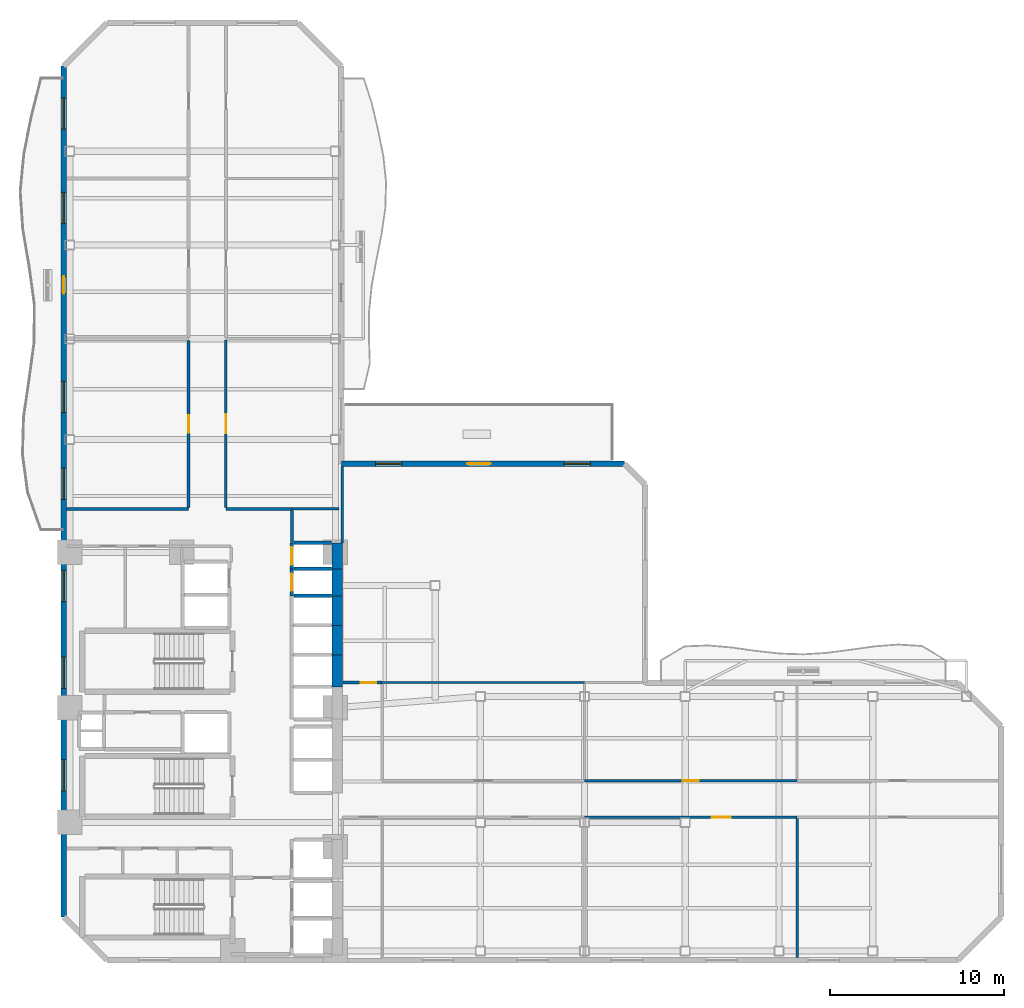
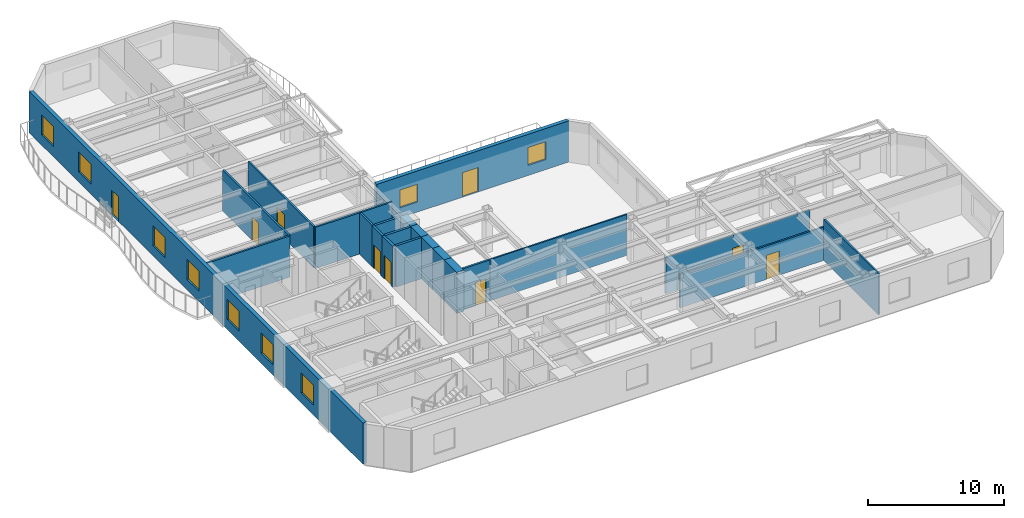
# One storey, part 5 of 10: 24 walls, 9 doors, 9 windows, 18 openings.
"""IFC4 building model written with IfcOpenShell, lengths in metres."""

from ifc_helpers import new_model, si_unit, direction, frame, frame_2d, origin, place, context, subcontext, project, spatial, rectangle, extrude, material, layer, layer_set, type_object, element, fill, save


model = new_model("IFC4")

# Units and contexts
model_context = context("Model", 3, precision=1e-05, world=origin(), true_north=direction((0.0, 1.0)))
body_context = subcontext(model_context, "Body", "Model", "MODEL_VIEW")
ifc_project = project(units=[si_unit("LENGTHUNIT", "METRE"), si_unit("AREAUNIT", "SQUARE_METRE"), si_unit("VOLUMEUNIT", "CUBIC_METRE"), si_unit("PLANEANGLEUNIT", "RADIAN"), si_unit("MASSUNIT", "GRAM", prefix="KILO")], contexts=[model_context])

# Site, building, storey
site_placement = place(None, origin())
site = spatial("IfcSite", under=ifc_project, at=site_placement, CompositionType="ELEMENT")
building_placement = place(site_placement, origin())
building = spatial("IfcBuilding", under=site, at=building_placement, Name="Mawjaban Terraces University", CompositionType="ELEMENT")
storey_placement = place(building_placement, frame((0.0, 0.0, 31.0)))
storey = spatial("IfcBuildingStorey", under=building, at=storey_placement, Name="L06", CompositionType="ELEMENT", Elevation=31.0)

# Walls
ifc_material_1 = material(Name="Concrete C70/85", Category="concrete")
ifc_layer_1 = layer(ifc_material_1, 0.60009765625)
ifc_layer_set_1 = layer_set([ifc_layer_1], Name="Concrete C70/85")
wall_type_1 = type_object("IfcWallType", Name="CoreShearWall_600", PredefinedType="SHEAR", material=ifc_layer_set_1)
wall_1_placement = place(storey_placement, frame((37.75, 15.75, 0.0), z_axis=(0.0, 0.0, 1.0), x_axis=(0.0, 1.0, 0.0)))
element("IfcWall", 1, at=wall_1_placement, inside=storey, type_object=wall_type_1, Name="L06 Lift OL-2 Hoistway Wall East", PredefinedType="SHEAR", context=body_context, shape_type="SweptSolid", body=[
    extrude(rectangle(XDim=1.85009765625, YDim=0.60009765625, at=frame_2d((0.925048828125, 0.0))), origin(), (0.0, 0.0, 1.0), 3.68994140625),
])
for number, where, z_axis, x_axis, name in (
    (2, (37.75, 17.60009765625, 0.0), (0.0, 0.0, 1.0), (0.0, 1.0, 0.0), "L06 Lift PL-M1 Hoistway Wall East"),
    (3, (37.75, 19.300048828125, 0.0), (0.0, 0.0, 1.0), (0.0, 1.0, 0.0), "L06 Lift PL-M2 Hoistway Wall East"),
):
    element("IfcWall", number, at=place(storey_placement, frame(where, z_axis=z_axis, x_axis=x_axis)), inside=storey, type_object=wall_type_1, Name=name, PredefinedType="SHEAR", context=body_context, shape_type="SweptSolid", body=[
        extrude(rectangle(XDim=1.699951171875, YDim=0.60009765625, at=frame_2d((0.85009765625, 0.0))), origin(), (0.0, 0.0, 1.0), 3.68994140625),
    ])
wall_2_placement = place(storey_placement, frame((37.75, 21.0, 0.0), z_axis=(0.0, 0.0, 1.0), x_axis=(0.0, 1.0, 0.0)))
element("IfcWall", 4, at=wall_2_placement, inside=storey, type_object=wall_type_1, Name="L06 Lift PL-L1 Hoistway Wall East", PredefinedType="SHEAR", context=body_context, shape_type="SweptSolid", body=[
    extrude(rectangle(XDim=1.550048828125, YDim=0.60009765625, at=frame_2d((0.77490234375, 0.0))), origin(), (0.0, 0.0, 1.0), 3.68994140625),
])
wall_3_placement = place(storey_placement, frame((37.75, 22.550048828125, 0.0), z_axis=(0.0, 0.0, 1.0), x_axis=(0.0, 1.0, 0.0)))
element("IfcWall", 5, at=wall_3_placement, inside=storey, type_object=wall_type_1, Name="L06 Lift PL-L2 Hoistway Wall East", PredefinedType="SHEAR", context=body_context, shape_type="SweptSolid", body=[
    extrude(rectangle(XDim=1.5, YDim=0.60009765625, at=frame_2d((0.75, 0.0))), origin(), (0.0, 0.0, 1.0), 3.68994140625),
])
ifc_material_2 = material(Name="Fire-rated gypsum board on steel stud", Category="steel")
ifc_layer_2 = layer(ifc_material_2, 0.159912109375)
ifc_layer_set_2 = layer_set([ifc_layer_2], Name="Fire-rated gypsum board on steel stud")
wall_type_2 = type_object("IfcWallType", Name="CorridorPartition_160", PredefinedType="PARTITIONING", material=ifc_layer_set_2)
wall_4_placement = place(storey_placement, frame((29.199951171875, 26.0, 0.0), z_axis=(0.0, 0.0, 1.0), x_axis=(-1.0, 0.0, 0.0)))
element("IfcWall", 6, at=wall_4_placement, inside=storey, type_object=wall_type_2, Name="L06 North Core Cross-Corridor Partition 9", PredefinedType="PARTITIONING", context=body_context, shape_type="SweptSolid", body=[
    extrude(rectangle(XDim=7.044921875, YDim=0.159912109375, at=frame_2d((3.5224609375, 0.0))), origin(), (0.0, 0.0, 1.0), 3.68994140625),
])
wall_5_placement = place(storey_placement, frame((35.14990234375, 26.0, 0.0), z_axis=(0.0, 0.0, 1.0), x_axis=(-1.0, 0.0, 0.0)))
element("IfcWall", 7, at=wall_5_placement, inside=storey, type_object=wall_type_2, Name="L06 North Core Cross-Corridor Partition 14", PredefinedType="PARTITIONING", context=body_context, shape_type="SweptSolid", body=[
    extrude(rectangle(XDim=3.7998046875, YDim=0.159912109375, at=frame_2d((1.89990234375, 0.0))), origin(), (0.0, 0.0, 1.0), 3.68994140625),
])

# Wall, opening, door
wall_6_placement = place(storey_placement, frame((40.35009765625, 16.0, 0.0), z_axis=(0.0, 0.0, 1.0), x_axis=(-1.0, 0.0, 0.0)))
wall_6 = element("IfcWall", 8, at=wall_6_placement, inside=storey, type_object=wall_type_2, Name="L06 East Academic Corridor Vestibule Partition 20", PredefinedType="PARTITIONING", context=body_context, shape_type="SweptSolid", body=[
    extrude(rectangle(XDim=2.27001953125, YDim=0.159912109375, at=frame_2d((1.135009765625, 0.0))), origin(), (0.0, 0.0, 1.0), 3.68994140625),
])
opening_1_placement = place(wall_6_placement, frame((0.3349609375, 0.0, 0.0)))
opening_1 = element("IfcOpeningElement", 9, at=opening_1_placement, cuts=wall_6, Name="Opening ID-090", PredefinedType="OPENING", context=body_context, shape_type="SweptSolid", body=[
    extrude(rectangle(XDim=0.89990234375, YDim=2.10009765625, at=frame_2d((0.449951171875, 1.050048828125))), frame((0.0, 0.08984375, 0.0), z_axis=(0.0, -1.0, 0.0), x_axis=(1.0, 0.0, 0.0)), (0.0, 0.0, 1.0), 0.179931640625),
])
ifc_material_3 = material(Name="Powder-coated steel frame and solid acoustic timber leaf", Category="steel")
door_type_1 = type_object("IfcDoorType", Name="OfficeDoor_900x2100", OperationType="NOTDEFINED", PredefinedType="DOOR", material=ifc_material_3)
door_1_placement = place(opening_1_placement, origin())
door_1 = element("IfcDoor", 10, at=door_1_placement, inside=storey, type_object=door_type_1, Name="L06 Terrace Collaborative Study Room Door", OperationType="SINGLE_SWING_LEFT", OverallHeight=2.10009765625, OverallWidth=0.89990234375, PredefinedType="DOOR", context=body_context, shape_type="SweptSolid", body=[
    extrude(rectangle(XDim=0.89990234375, YDim=2.10009765625, at=frame_2d((0.449951171875, 1.050048828125))), frame((0.0, 0.02490234375, 0.0), z_axis=(0.0, -1.0, 0.0), x_axis=(1.0, 0.0, 0.0)), (0.0, 0.0, 1.0), 0.050048828125),
])
fill(opening_1, door_1)

wall_7_placement = place(storey_placement, frame((64.239990234375, 10.35009765625, 0.0), z_axis=(0.0, 0.0, 1.0), x_axis=(-1.0, 0.0, 0.0)))
wall_7 = element("IfcWall", 11, at=wall_7_placement, inside=storey, type_object=wall_type_2, Name="L06 East Academic Spine Corridor Partition 26", PredefinedType="PARTITIONING", context=body_context, shape_type="SweptSolid", body=[
    extrude(rectangle(XDim=12.239990234375, YDim=0.159912109375, at=frame_2d((6.1201171875, 0.0))), origin(), (0.0, 0.0, 1.0), 3.22705078125),
])
opening_2_placement = place(wall_7_placement, frame((5.669921875, 0.0, 0.0)))
opening_2 = element("IfcOpeningElement", 12, at=opening_2_placement, cuts=wall_7, Name="Opening ID-090", PredefinedType="OPENING", context=body_context, shape_type="SweptSolid", body=[
    extrude(rectangle(XDim=0.89990234375, YDim=2.10009765625, at=frame_2d((0.449951171875, 1.050048828125))), frame((0.0, 0.08984375, 0.0), z_axis=(0.0, -1.0, 0.0), x_axis=(1.0, 0.0, 0.0)), (0.0, 0.0, 1.0), 0.179931640625),
])
door_2_placement = place(opening_2_placement, origin())
door_2 = element("IfcDoor", 13, at=door_2_placement, inside=storey, type_object=door_type_1, Name="L06 Seminar Room 5 Door", OperationType="SINGLE_SWING_RIGHT", OverallHeight=2.10009765625, OverallWidth=0.89990234375, PredefinedType="DOOR", context=body_context, shape_type="SweptSolid", body=[
    extrude(rectangle(XDim=0.89990234375, YDim=2.10009765625, at=frame_2d((0.449951171875, 1.050048828125))), frame((0.0, 0.02490234375, 0.0), z_axis=(0.0, -1.0, 0.0), x_axis=(1.0, 0.0, 0.0)), (0.0, 0.0, 1.0), 0.050048828125),
])
fill(opening_2, door_2)

wall_8_placement = place(storey_placement, frame((29.199951171875, 35.715087890625, 0.0), z_axis=(0.0, 0.0, 1.0), x_axis=(0.0, -1.0, 0.0)))
wall_8 = element("IfcWall", 14, at=wall_8_placement, inside=storey, type_object=wall_type_2, Name="L06 North Academic Spine Corridor Partition 33", PredefinedType="PARTITIONING", context=body_context, shape_type="SweptSolid", body=[
    extrude(rectangle(XDim=9.64013671875, YDim=0.159912109375, at=frame_2d((4.820068359375, 0.0))), origin(), (0.0, 0.0, 1.0), 3.68994140625),
])
opening_3_placement = place(wall_8_placement, frame((4.320068359375, 0.0, 0.0)))
opening_3 = element("IfcOpeningElement", 15, at=opening_3_placement, cuts=wall_8, Name="Opening ID-100", PredefinedType="OPENING", context=body_context, shape_type="SweptSolid", body=[
    extrude(rectangle(XDim=1.0, YDim=2.10009765625, at=frame_2d((0.5, 1.050048828125))), frame((0.0, 0.08984375, 0.0), z_axis=(0.0, -1.0, 0.0), x_axis=(1.0, 0.0, 0.0)), (0.0, 0.0, 1.0), 0.179931640625),
])
door_type_2 = type_object("IfcDoorType", Name="ClassroomDoor_1000x2100", OperationType="NOTDEFINED", PredefinedType="DOOR", material=ifc_material_3)
door_3_placement = place(opening_3_placement, origin())
door_3 = element("IfcDoor", 16, at=door_3_placement, inside=storey, type_object=door_type_2, Name="L06 Classroom 8 Door", OperationType="SINGLE_SWING_LEFT", OverallHeight=2.10009765625, OverallWidth=1.0, PredefinedType="DOOR", context=body_context, shape_type="SweptSolid", body=[
    extrude(rectangle(XDim=1.0, YDim=2.10009765625, at=frame_2d((0.5, 1.050048828125))), frame((0.0, 0.02490234375, 0.0), z_axis=(0.0, -1.0, 0.0), x_axis=(1.0, 0.0, 0.0)), (0.0, 0.0, 1.0), 0.050048828125),
])
fill(opening_3, door_3)

# Wall
wall_9_placement = place(storey_placement, frame((35.14990234375, 24.070068359375, 0.0), z_axis=(0.0, 0.0, 1.0), x_axis=(0.0, 1.0, 0.0)))
element("IfcWall", 17, at=wall_9_placement, inside=storey, type_object=wall_type_2, Name="L06 North Core Cross-Corridor Partition 41", PredefinedType="PARTITIONING", context=body_context, shape_type="SweptSolid", body=[
    extrude(rectangle(XDim=1.85498046875, YDim=0.159912109375, at=frame_2d((0.927490234375, 0.0))), origin(), (0.0, 0.0, 1.0), 3.68994140625),
])

# Wall, openings, door, windows
ifc_material_4 = material(Name="Insulated terracotta rainscreen on concrete backup C40/50", Category="masonry")
ifc_layer_3 = layer(ifc_material_4, 0.320068359375)
ifc_layer_set_3 = layer_set([ifc_layer_3], Name="Insulated terracotta rainscreen on concrete backup C40/50")
wall_type_3 = type_object("IfcWallType", Name="ExtTerracottaWall_320", PredefinedType="SOLIDWALL", material=ifc_layer_set_3)
wall_10_placement = place(storey_placement, frame((54.300048828125, 28.60009765625, 0.0), z_axis=(0.0, 0.0, 1.0), x_axis=(-1.0, 0.0, 0.0)))
wall_10 = element("IfcWall", 18, at=wall_10_placement, inside=storey, type_object=wall_type_3, Name="L06 Exterior Terracotta Wall 8", PredefinedType="SOLIDWALL", context=body_context, shape_type="SweptSolid", body=[
    extrude(rectangle(XDim=16.300048828125, YDim=0.320068359375, at=frame_2d((8.14990234375, 0.0))), origin(), (0.0, 0.0, 1.0), 3.68994140625),
])
opening_4_placement = place(wall_10_placement, frame((7.699951171875, 0.0, 0.0)))
opening_4 = element("IfcOpeningElement", 19, at=opening_4_placement, cuts=wall_10, Name="Opening TD-135", PredefinedType="OPENING", context=body_context, shape_type="SweptSolid", body=[
    extrude(rectangle(XDim=1.35009765625, YDim=2.199951171875, at=frame_2d((0.675048828125, 1.10009765625))), frame((0.0, 0.169921875, 0.0), z_axis=(0.0, -1.0, 0.0), x_axis=(1.0, 0.0, 0.0)), (0.0, 0.0, 1.0), 0.340087890625),
])
opening_5_placement = place(wall_10_placement, frame((1.967041015625, 0.0, 0.89990234375)))
opening_5 = element("IfcOpeningElement", 20, at=opening_5_placement, cuts=wall_10, Name="Opening W-02", PredefinedType="OPENING", context=body_context, shape_type="SweptSolid", body=[
    extrude(rectangle(XDim=1.5, YDim=1.60009765625, at=frame_2d((0.75, 0.800048828125))), frame((0.0, 0.169921875, 0.0), z_axis=(0.0, -1.0, 0.0), x_axis=(1.0, 0.0, 0.0)), (0.0, 0.0, 1.0), 0.340087890625),
])
opening_6_placement = place(wall_10_placement, frame((12.8330078125, 0.0, 0.89990234375)))
opening_6 = element("IfcOpeningElement", 21, at=opening_6_placement, cuts=wall_10, Name="Opening W-02", PredefinedType="OPENING", context=body_context, shape_type="SweptSolid", body=[
    extrude(rectangle(XDim=1.5, YDim=1.60009765625, at=frame_2d((0.75, 0.800048828125))), frame((0.0, 0.169921875, 0.0), z_axis=(0.0, -1.0, 0.0), x_axis=(1.0, 0.0, 0.0)), (0.0, 0.0, 1.0), 0.340087890625),
])
ifc_material_5 = material(Name="Thermally broken anodised aluminium and laminated safety glass", Category="aluminium")
door_type_3 = type_object("IfcDoorType", Name="TerraceGlazedDoor_1350x2200", OperationType="NOTDEFINED", PredefinedType="DOOR", material=ifc_material_5)
door_4_placement = place(opening_4_placement, origin())
door_4 = element("IfcDoor", 22, at=door_4_placement, inside=storey, type_object=door_type_3, Name="L06 Terrace Access Door TER-L06-CLIMB", OperationType="SINGLE_SWING_RIGHT", OverallHeight=2.199951171875, OverallWidth=1.35009765625, PredefinedType="DOOR", context=body_context, shape_type="SweptSolid", body=[
    extrude(rectangle(XDim=1.35009765625, YDim=2.199951171875, at=frame_2d((0.675048828125, 1.10009765625))), frame((0.0, 0.02490234375, 0.0), z_axis=(0.0, -1.0, 0.0), x_axis=(1.0, 0.0, 0.0)), (0.0, 0.0, 1.0), 0.050048828125),
])
fill(opening_4, door_4)
ifc_material_6 = material(Name="Low-E solar-control double glazing in thermally broken aluminium frame", Category="aluminium")
window_type_1 = type_object("IfcWindowType", Name="Win_1500x1600", PartitioningType="SINGLE_PANEL", PredefinedType="WINDOW", material=ifc_material_6)
window_1_placement = place(opening_5_placement, origin())
window_1 = element("IfcWindow", 23, at=window_1_placement, inside=storey, type_object=window_type_1, Name="L06 Facade Window 8.1", OverallHeight=1.60009765625, OverallWidth=1.5, PartitioningType="SINGLE_PANEL", PredefinedType="WINDOW", context=body_context, shape_type="SweptSolid", body=[
    extrude(rectangle(XDim=1.5, YDim=1.60009765625, at=frame_2d((0.75, 0.800048828125))), frame((0.0, 0.030029296875, 0.0), z_axis=(0.0, -1.0, 0.0), x_axis=(1.0, 0.0, 0.0)), (0.0, 0.0, 1.0), 0.06005859375),
])
fill(opening_5, window_1)
window_2_placement = place(opening_6_placement, origin())
window_2 = element("IfcWindow", 24, at=window_2_placement, inside=storey, type_object=window_type_1, Name="L06 Facade Window 8.3", OverallHeight=1.60009765625, OverallWidth=1.5, PartitioningType="SINGLE_PANEL", PredefinedType="WINDOW", context=body_context, shape_type="SweptSolid", body=[
    extrude(rectangle(XDim=1.5, YDim=1.60009765625, at=frame_2d((0.75, 0.800048828125))), frame((0.0, 0.030029296875, 0.0), z_axis=(0.0, -1.0, 0.0), x_axis=(1.0, 0.0, 0.0)), (0.0, 0.0, 1.0), 0.06005859375),
])
fill(opening_6, window_2)

wall_11_placement = place(storey_placement, frame((22.0, 51.5, 0.0), z_axis=(0.0, 0.0, 1.0), x_axis=(0.0, -1.0, 0.0)))
wall_11 = element("IfcWall", 25, at=wall_11_placement, inside=storey, type_object=wall_type_3, Name="L06 Exterior Terracotta Wall 13", PredefinedType="SOLIDWALL", context=body_context, shape_type="SweptSolid", body=[
    extrude(rectangle(XDim=49.0, YDim=0.320068359375, at=frame_2d((24.5, 0.0))), origin(), (0.0, 0.0, 1.0), 3.68994140625),
])
opening_7_placement = place(wall_11_placement, frame((12.10009765625, 0.0, 0.0)))
opening_7 = element("IfcOpeningElement", 26, at=opening_7_placement, cuts=wall_11, Name="Opening BD-100", PredefinedType="OPENING", context=body_context, shape_type="SweptSolid", body=[
    extrude(rectangle(XDim=1.0, YDim=2.199951171875, at=frame_2d((0.5, 1.10009765625))), frame((0.0, 0.169921875, 0.0), z_axis=(0.0, -1.0, 0.0), x_axis=(1.0, 0.0, 0.0)), (0.0, 0.0, 1.0), 0.340087890625),
])
opening_8_placement = place(wall_11_placement, frame((1.822021484375, 0.0, 0.89990234375)))
opening_8 = element("IfcOpeningElement", 27, at=opening_8_placement, cuts=wall_11, Name="Opening W-07", PredefinedType="OPENING", context=body_context, shape_type="SweptSolid", body=[
    extrude(rectangle(XDim=1.800048828125, YDim=1.800048828125, at=frame_2d((0.89990234375, 0.89990234375))), frame((0.0, 0.169921875, 0.0), z_axis=(0.0, -1.0, 0.0), x_axis=(1.0, 0.0, 0.0)), (0.0, 0.0, 1.0), 0.340087890625),
])
opening_9_placement = place(wall_11_placement, frame((7.26708984375, 0.0, 0.89990234375)))
opening_9 = element("IfcOpeningElement", 28, at=opening_9_placement, cuts=wall_11, Name="Opening W-07", PredefinedType="OPENING", context=body_context, shape_type="SweptSolid", body=[
    extrude(rectangle(XDim=1.800048828125, YDim=1.800048828125, at=frame_2d((0.89990234375, 0.89990234375))), frame((0.0, 0.169921875, 0.0), z_axis=(0.0, -1.0, 0.0), x_axis=(1.0, 0.0, 0.0)), (0.0, 0.0, 1.0), 0.340087890625),
])
opening_10_placement = place(wall_11_placement, frame((18.156005859375, 0.0, 0.89990234375)))
opening_10 = element("IfcOpeningElement", 29, at=opening_10_placement, cuts=wall_11, Name="Opening W-07", PredefinedType="OPENING", context=body_context, shape_type="SweptSolid", body=[
    extrude(rectangle(XDim=1.800048828125, YDim=1.800048828125, at=frame_2d((0.89990234375, 0.89990234375))), frame((0.0, 0.169921875, 0.0), z_axis=(0.0, -1.0, 0.0), x_axis=(1.0, 0.0, 0.0)), (0.0, 0.0, 1.0), 0.340087890625),
])
opening_11_placement = place(wall_11_placement, frame((23.14990234375, 0.0, 0.89990234375)))
opening_11 = element("IfcOpeningElement", 30, at=opening_11_placement, cuts=wall_11, Name="Opening W-07", PredefinedType="OPENING", context=body_context, shape_type="SweptSolid", body=[
    extrude(rectangle(XDim=1.800048828125, YDim=1.800048828125, at=frame_2d((0.89990234375, 0.89990234375))), frame((0.0, 0.169921875, 0.0), z_axis=(0.0, -1.0, 0.0), x_axis=(1.0, 0.0, 0.0)), (0.0, 0.0, 1.0), 0.340087890625),
])
opening_12_placement = place(wall_11_placement, frame((29.0439453125, 0.0, 0.89990234375)))
opening_12 = element("IfcOpeningElement", 31, at=opening_12_placement, cuts=wall_11, Name="Opening W-07", PredefinedType="OPENING", context=body_context, shape_type="SweptSolid", body=[
    extrude(rectangle(XDim=1.800048828125, YDim=1.800048828125, at=frame_2d((0.89990234375, 0.89990234375))), frame((0.0, 0.169921875, 0.0), z_axis=(0.0, -1.0, 0.0), x_axis=(1.0, 0.0, 0.0)), (0.0, 0.0, 1.0), 0.340087890625),
])
opening_13_placement = place(wall_11_placement, frame((34.0390625, 0.0, 0.89990234375)))
opening_13 = element("IfcOpeningElement", 32, at=opening_13_placement, cuts=wall_11, Name="Opening W-07", PredefinedType="OPENING", context=body_context, shape_type="SweptSolid", body=[
    extrude(rectangle(XDim=1.800048828125, YDim=1.800048828125, at=frame_2d((0.89990234375, 0.89990234375))), frame((0.0, 0.169921875, 0.0), z_axis=(0.0, -1.0, 0.0), x_axis=(1.0, 0.0, 0.0)), (0.0, 0.0, 1.0), 0.340087890625),
])
opening_14_placement = place(wall_11_placement, frame((39.93310546875, 0.0, 0.89990234375)))
opening_14 = element("IfcOpeningElement", 33, at=opening_14_placement, cuts=wall_11, Name="Opening W-07", PredefinedType="OPENING", context=body_context, shape_type="SweptSolid", body=[
    extrude(rectangle(XDim=1.800048828125, YDim=1.800048828125, at=frame_2d((0.89990234375, 0.89990234375))), frame((0.0, 0.169921875, 0.0), z_axis=(0.0, -1.0, 0.0), x_axis=(1.0, 0.0, 0.0)), (0.0, 0.0, 1.0), 0.340087890625),
])
door_type_4 = type_object("IfcDoorType", Name="BalconyGlazedDoor_1000x2200", OperationType="NOTDEFINED", PredefinedType="DOOR", material=ifc_material_5)
door_5_placement = place(opening_7_placement, origin())
door_5 = element("IfcDoor", 34, at=door_5_placement, inside=storey, type_object=door_type_4, Name="L06 Balcony Access Door west", OperationType="SINGLE_SWING_LEFT", OverallHeight=2.199951171875, OverallWidth=1.0, PredefinedType="DOOR", context=body_context, shape_type="SweptSolid", body=[
    extrude(rectangle(XDim=1.0, YDim=2.199951171875, at=frame_2d((0.5, 1.10009765625))), frame((0.0, 0.02490234375, 0.0), z_axis=(0.0, -1.0, 0.0), x_axis=(1.0, 0.0, 0.0)), (0.0, 0.0, 1.0), 0.050048828125),
])
fill(opening_7, door_5)
window_type_2 = type_object("IfcWindowType", Name="Win_1800x1800", PartitioningType="SINGLE_PANEL", PredefinedType="WINDOW", material=ifc_material_6)
window_3_placement = place(opening_8_placement, origin())
window_3 = element("IfcWindow", 35, at=window_3_placement, inside=storey, type_object=window_type_2, Name="L06 Facade Window 13.1", OverallHeight=1.800048828125, OverallWidth=1.800048828125, PartitioningType="SINGLE_PANEL", PredefinedType="WINDOW", context=body_context, shape_type="SweptSolid", body=[
    extrude(rectangle(XDim=1.800048828125, YDim=1.800048828125, at=frame_2d((0.89990234375, 0.89990234375))), frame((0.0, 0.030029296875, 0.0), z_axis=(0.0, -1.0, 0.0), x_axis=(1.0, 0.0, 0.0)), (0.0, 0.0, 1.0), 0.06005859375),
])
fill(opening_8, window_3)
window_4_placement = place(opening_9_placement, origin())
window_4 = element("IfcWindow", 36, at=window_4_placement, inside=storey, type_object=window_type_2, Name="L06 Facade Window 13.2", OverallHeight=1.800048828125, OverallWidth=1.800048828125, PartitioningType="SINGLE_PANEL", PredefinedType="WINDOW", context=body_context, shape_type="SweptSolid", body=[
    extrude(rectangle(XDim=1.800048828125, YDim=1.800048828125, at=frame_2d((0.89990234375, 0.89990234375))), frame((0.0, 0.030029296875, 0.0), z_axis=(0.0, -1.0, 0.0), x_axis=(1.0, 0.0, 0.0)), (0.0, 0.0, 1.0), 0.06005859375),
])
fill(opening_9, window_4)
window_5_placement = place(opening_10_placement, origin())
window_5 = element("IfcWindow", 37, at=window_5_placement, inside=storey, type_object=window_type_2, Name="L06 Facade Window 13.4", OverallHeight=1.800048828125, OverallWidth=1.800048828125, PartitioningType="SINGLE_PANEL", PredefinedType="WINDOW", context=body_context, shape_type="SweptSolid", body=[
    extrude(rectangle(XDim=1.800048828125, YDim=1.800048828125, at=frame_2d((0.89990234375, 0.89990234375))), frame((0.0, 0.030029296875, 0.0), z_axis=(0.0, -1.0, 0.0), x_axis=(1.0, 0.0, 0.0)), (0.0, 0.0, 1.0), 0.06005859375),
])
fill(opening_10, window_5)
window_6_placement = place(opening_11_placement, origin())
window_6 = element("IfcWindow", 38, at=window_6_placement, inside=storey, type_object=window_type_2, Name="L06 Facade Window 13.5", OverallHeight=1.800048828125, OverallWidth=1.800048828125, PartitioningType="SINGLE_PANEL", PredefinedType="WINDOW", context=body_context, shape_type="SweptSolid", body=[
    extrude(rectangle(XDim=1.800048828125, YDim=1.800048828125, at=frame_2d((0.89990234375, 0.89990234375))), frame((0.0, 0.030029296875, 0.0), z_axis=(0.0, -1.0, 0.0), x_axis=(1.0, 0.0, 0.0)), (0.0, 0.0, 1.0), 0.06005859375),
])
fill(opening_11, window_6)
window_7_placement = place(opening_12_placement, origin())
window_7 = element("IfcWindow", 39, at=window_7_placement, inside=storey, type_object=window_type_2, Name="L06 Facade Window 13.6", OverallHeight=1.800048828125, OverallWidth=1.800048828125, PartitioningType="SINGLE_PANEL", PredefinedType="WINDOW", context=body_context, shape_type="SweptSolid", body=[
    extrude(rectangle(XDim=1.800048828125, YDim=1.800048828125, at=frame_2d((0.89990234375, 0.89990234375))), frame((0.0, 0.030029296875, 0.0), z_axis=(0.0, -1.0, 0.0), x_axis=(1.0, 0.0, 0.0)), (0.0, 0.0, 1.0), 0.06005859375),
])
fill(opening_12, window_7)
window_8_placement = place(opening_13_placement, origin())
window_8 = element("IfcWindow", 40, at=window_8_placement, inside=storey, type_object=window_type_2, Name="L06 Facade Window 13.7", OverallHeight=1.800048828125, OverallWidth=1.800048828125, PartitioningType="SINGLE_PANEL", PredefinedType="WINDOW", context=body_context, shape_type="SweptSolid", body=[
    extrude(rectangle(XDim=1.800048828125, YDim=1.800048828125, at=frame_2d((0.89990234375, 0.89990234375))), frame((0.0, 0.030029296875, 0.0), z_axis=(0.0, -1.0, 0.0), x_axis=(1.0, 0.0, 0.0)), (0.0, 0.0, 1.0), 0.06005859375),
])
fill(opening_13, window_8)
window_9_placement = place(opening_14_placement, origin())
window_9 = element("IfcWindow", 41, at=window_9_placement, inside=storey, type_object=window_type_2, Name="L06 Facade Window 13.8", OverallHeight=1.800048828125, OverallWidth=1.800048828125, PartitioningType="SINGLE_PANEL", PredefinedType="WINDOW", context=body_context, shape_type="SweptSolid", body=[
    extrude(rectangle(XDim=1.800048828125, YDim=1.800048828125, at=frame_2d((0.89990234375, 0.89990234375))), frame((0.0, 0.030029296875, 0.0), z_axis=(0.0, -1.0, 0.0), x_axis=(1.0, 0.0, 0.0)), (0.0, 0.0, 1.0), 0.06005859375),
])
fill(opening_14, window_9)

# Wall
ifc_material_7 = material(Name="Concrete C40/50", Category="concrete")
ifc_layer_4 = layer(ifc_material_7, 0.199951171875)
ifc_layer_set_4 = layer_set([ifc_layer_4], Name="Concrete C40/50")
wall_type_4 = type_object("IfcWallType", Name="FireLobbyWall_200", PredefinedType="SOLIDWALL", material=ifc_layer_set_4)
wall_12_placement = place(storey_placement, frame((37.419921875, 21.0, 0.0), z_axis=(0.0, 0.0, 1.0), x_axis=(-1.0, 0.0, 0.0)))
element("IfcWall", 42, at=wall_12_placement, inside=storey, type_object=wall_type_4, Name="L06 Lift PL-M2 Hoistway Wall North", PredefinedType="SOLIDWALL", context=body_context, shape_type="SweptSolid", body=[
    extrude(rectangle(XDim=2.139892578125, YDim=0.199951171875, at=frame_2d((1.06982421875, 0.0))), origin(), (0.0, 0.0, 1.0), 3.68994140625),
])

# Wall, opening, door
wall_13_placement = place(storey_placement, frame((35.14990234375, 22.550048828125, 0.0), z_axis=(0.0, 0.0, 1.0), x_axis=(0.0, -1.0, 0.0)))
wall_13 = element("IfcWall", 43, at=wall_13_placement, inside=storey, type_object=wall_type_4, Name="L06 Lift PL-L1 Hoistway Wall West", PredefinedType="SOLIDWALL", context=body_context, shape_type="SweptSolid", body=[
    extrude(rectangle(XDim=1.550048828125, YDim=0.199951171875, at=frame_2d((0.77490234375, 0.0))), origin(), (0.0, 0.0, 1.0), 3.68994140625),
])
opening_15_placement = place(wall_13_placement, frame((0.27490234375, 0.0, 0.0)))
opening_15 = element("IfcOpeningElement", 44, at=opening_15_placement, cuts=wall_13, Name="Opening LD-PL-L1", PredefinedType="OPENING", context=body_context, shape_type="SweptSolid", body=[
    extrude(rectangle(XDim=1.0, YDim=2.10009765625, at=frame_2d((0.5, 1.050048828125))), frame((0.0, 0.10986328125, 0.0), z_axis=(0.0, -1.0, 0.0), x_axis=(1.0, 0.0, 0.0)), (0.0, 0.0, 1.0), 0.219970703125),
])
ifc_material_8 = material(Name="Powder-coated steel frame and fire-rated steel-faced leaf", Category="steel")
door_type_5 = type_object("IfcDoorType", Name="LiftLandingSliding_1000x2100", OperationType="NOTDEFINED", PredefinedType="DOOR", material=ifc_material_8)
door_6_placement = place(opening_15_placement, origin())
door_6 = element("IfcDoor", 45, at=door_6_placement, inside=storey, type_object=door_type_5, Name="L06 Lift PL-L1 Sliding Landing Door", OperationType="DOUBLE_DOOR_SLIDING", OverallHeight=2.10009765625, OverallWidth=1.0, PredefinedType="DOOR", context=body_context, shape_type="SweptSolid", body=[
    extrude(rectangle(XDim=1.0, YDim=2.10009765625, at=frame_2d((0.5, 1.050048828125))), frame((0.0, 0.02490234375, 0.0), z_axis=(0.0, -1.0, 0.0), x_axis=(1.0, 0.0, 0.0)), (0.0, 0.0, 1.0), 0.050048828125),
])
fill(opening_15, door_6)

# Wall
wall_14_placement = place(storey_placement, frame((37.419921875, 22.550048828125, 0.0), z_axis=(0.0, 0.0, 1.0), x_axis=(-1.0, 0.0, 0.0)))
element("IfcWall", 46, at=wall_14_placement, inside=storey, type_object=wall_type_4, Name="L06 Lift PL-L1 Hoistway Wall North", PredefinedType="SOLIDWALL", context=body_context, shape_type="SweptSolid", body=[
    extrude(rectangle(XDim=2.139892578125, YDim=0.199951171875, at=frame_2d((1.06982421875, 0.0))), origin(), (0.0, 0.0, 1.0), 3.68994140625),
])

# Wall, opening, door
wall_15_placement = place(storey_placement, frame((35.14990234375, 24.050048828125, 0.0), z_axis=(0.0, 0.0, 1.0), x_axis=(0.0, -1.0, 0.0)))
wall_15 = element("IfcWall", 47, at=wall_15_placement, inside=storey, type_object=wall_type_4, Name="L06 Lift PL-L2 Hoistway Wall West", PredefinedType="SOLIDWALL", context=body_context, shape_type="SweptSolid", body=[
    extrude(rectangle(XDim=1.5, YDim=0.199951171875, at=frame_2d((0.75, 0.0))), origin(), (0.0, 0.0, 1.0), 3.68994140625),
])
opening_16_placement = place(wall_15_placement, frame((0.25, 0.0, 0.0)))
opening_16 = element("IfcOpeningElement", 48, at=opening_16_placement, cuts=wall_15, Name="Opening LD-PL-L2", PredefinedType="OPENING", context=body_context, shape_type="SweptSolid", body=[
    extrude(rectangle(XDim=1.0, YDim=2.10009765625, at=frame_2d((0.5, 1.050048828125))), frame((0.0, 0.10986328125, 0.0), z_axis=(0.0, -1.0, 0.0), x_axis=(1.0, 0.0, 0.0)), (0.0, 0.0, 1.0), 0.219970703125),
])
door_7_placement = place(opening_16_placement, origin())
door_7 = element("IfcDoor", 49, at=door_7_placement, inside=storey, type_object=door_type_5, Name="L06 Lift PL-L2 Sliding Landing Door", OperationType="DOUBLE_DOOR_SLIDING", OverallHeight=2.10009765625, OverallWidth=1.0, PredefinedType="DOOR", context=body_context, shape_type="SweptSolid", body=[
    extrude(rectangle(XDim=1.0, YDim=2.10009765625, at=frame_2d((0.5, 1.050048828125))), frame((0.0, 0.02490234375, 0.0), z_axis=(0.0, -1.0, 0.0), x_axis=(1.0, 0.0, 0.0)), (0.0, 0.0, 1.0), 0.050048828125),
])
fill(opening_16, door_7)

# Walls
wall_16_placement = place(storey_placement, frame((37.419921875, 24.050048828125, 0.0), z_axis=(0.0, 0.0, 1.0), x_axis=(-1.0, 0.0, 0.0)))
element("IfcWall", 50, at=wall_16_placement, inside=storey, type_object=wall_type_4, Name="L06 Lift PL-L2 Hoistway Wall North", PredefinedType="SOLIDWALL", context=body_context, shape_type="SweptSolid", body=[
    extrude(rectangle(XDim=2.139892578125, YDim=0.199951171875, at=frame_2d((1.06982421875, 0.0))), origin(), (0.0, 0.0, 1.0), 3.68994140625),
])
ifc_material_9 = material(Name="Moisture-resistant gypsum board on steel stud", Category="steel")
ifc_layer_5 = layer(ifc_material_9, 0.14501953125)
ifc_layer_set_5 = layer_set([ifc_layer_5], Name="Moisture-resistant gypsum board on steel stud")
wall_type_5 = type_object("IfcWallType", Name="LabPartition_145", PredefinedType="PARTITIONING", material=ifc_layer_set_5)
wall_17_placement = place(storey_placement, frame((35.14990234375, 26.0, 0.0), z_axis=(0.0, 0.0, 1.0), x_axis=(1.0, 0.0, 0.0)))
element("IfcWall", 51, at=wall_17_placement, inside=storey, type_object=wall_type_5, Name="L06 Computational Laboratory 9 Partition 15", PredefinedType="PARTITIONING", context=body_context, shape_type="SweptSolid", body=[
    extrude(rectangle(XDim=2.7001953125, YDim=0.14501953125, at=frame_2d((1.35009765625, 0.0))), origin(), (0.0, 0.0, 1.0), 3.68994140625),
])

# Wall, opening, door
wall_18_placement = place(storey_placement, frame((52.0, 8.25, 0.0), z_axis=(0.0, 0.0, 1.0), x_axis=(1.0, 0.0, 0.0)))
wall_18 = element("IfcWall", 52, at=wall_18_placement, inside=storey, type_object=wall_type_5, Name="L06 East Academic Spine Corridor Partition 21", PredefinedType="PARTITIONING", context=body_context, shape_type="SweptSolid", body=[
    extrude(rectangle(XDim=12.239990234375, YDim=0.14501953125, at=frame_2d((6.1201171875, 0.0))), origin(), (0.0, 0.0, 1.0), 2.9951171875),
])
opening_17_placement = place(wall_18_placement, frame((7.320068359375, 0.0, 0.0)))
opening_17 = element("IfcOpeningElement", 53, at=opening_17_placement, cuts=wall_18, Name="Opening ID-110", PredefinedType="OPENING", context=body_context, shape_type="SweptSolid", body=[
    extrude(rectangle(XDim=1.10009765625, YDim=2.14990234375, at=frame_2d((0.550048828125, 1.074951171875))), frame((0.0, 0.08251953125, 0.0), z_axis=(0.0, -1.0, 0.0), x_axis=(1.0, 0.0, 0.0)), (0.0, 0.0, 1.0), 0.1650390625),
])
door_type_6 = type_object("IfcDoorType", Name="LabDoor_1100x2150", OperationType="NOTDEFINED", PredefinedType="DOOR", material=ifc_material_3)
door_8_placement = place(opening_17_placement, origin())
door_8 = element("IfcDoor", 54, at=door_8_placement, inside=storey, type_object=door_type_6, Name="L06 Teaching Laboratory 4 Door", OperationType="SINGLE_SWING_LEFT", OverallHeight=2.14990234375, OverallWidth=1.10009765625, PredefinedType="DOOR", context=body_context, shape_type="SweptSolid", body=[
    extrude(rectangle(XDim=1.10009765625, YDim=2.14990234375, at=frame_2d((0.550048828125, 1.074951171875))), frame((0.0, 0.02490234375, 0.0), z_axis=(0.0, -1.0, 0.0), x_axis=(1.0, 0.0, 0.0)), (0.0, 0.0, 1.0), 0.050048828125),
])
fill(opening_17, door_8)

wall_19_placement = place(storey_placement, frame((31.35009765625, 26.074951171875, 0.0), z_axis=(0.0, 0.0, 1.0), x_axis=(0.0, 1.0, 0.0)))
wall_19 = element("IfcWall", 55, at=wall_19_placement, inside=storey, type_object=wall_type_5, Name="L06 North Academic Spine Corridor Partition 36", PredefinedType="PARTITIONING", context=body_context, shape_type="SweptSolid", body=[
    extrude(rectangle(XDim=9.656982421875, YDim=0.14501953125, at=frame_2d((4.82861328125, 0.0))), origin(), (0.0, 0.0, 1.0), 3.68994140625),
])
opening_18_placement = place(wall_19_placement, frame((4.279052734375, 0.0, 0.0)))
opening_18 = element("IfcOpeningElement", 56, at=opening_18_placement, cuts=wall_19, Name="Opening ID-110", PredefinedType="OPENING", context=body_context, shape_type="SweptSolid", body=[
    extrude(rectangle(XDim=1.10009765625, YDim=2.14990234375, at=frame_2d((0.550048828125, 1.074951171875))), frame((0.0, 0.08251953125, 0.0), z_axis=(0.0, -1.0, 0.0), x_axis=(1.0, 0.0, 0.0)), (0.0, 0.0, 1.0), 0.1650390625),
])
door_9_placement = place(opening_18_placement, origin())
door_9 = element("IfcDoor", 57, at=door_9_placement, inside=storey, type_object=door_type_6, Name="L06 Computational Laboratory 9 Door", OperationType="SINGLE_SWING_RIGHT", OverallHeight=2.14990234375, OverallWidth=1.10009765625, PredefinedType="DOOR", context=body_context, shape_type="SweptSolid", body=[
    extrude(rectangle(XDim=1.10009765625, YDim=2.14990234375, at=frame_2d((0.550048828125, 1.074951171875))), frame((0.0, 0.02490234375, 0.0), z_axis=(0.0, -1.0, 0.0), x_axis=(1.0, 0.0, 0.0)), (0.0, 0.0, 1.0), 0.050048828125),
])
fill(opening_18, door_9)

# Walls
wall_20_placement = place(storey_placement, frame((38.050048828125, 28.445068359375, 0.0), z_axis=(0.0, 0.0, 1.0), x_axis=(0.0, -1.0, 0.0)))
element("IfcWall", 58, at=wall_20_placement, inside=storey, type_object=wall_type_5, Name="L06 Terrace Collaborative Study Room Partition 43", PredefinedType="PARTITIONING", context=body_context, shape_type="SweptSolid", body=[
    extrude(rectangle(XDim=4.39501953125, YDim=0.14501953125, at=frame_2d((2.197509765625, 0.0))), origin(), (0.0, 0.0, 1.0), 2.9951171875),
])
wall_21_placement = place(storey_placement, frame((64.239990234375, 0.155029296875, 0.0), z_axis=(0.0, 0.0, 1.0), x_axis=(0.0, 1.0, 0.0)))
element("IfcWall", 59, at=wall_21_placement, inside=storey, type_object=wall_type_5, Name="L06 Teaching Laboratory 4 Partition 48", PredefinedType="PARTITIONING", context=body_context, shape_type="SweptSolid", body=[
    extrude(rectangle(XDim=8.02001953125, YDim=0.14501953125, at=frame_2d((4.010009765625, 0.0))), origin(), (0.0, 0.0, 1.0), 3.68994140625),
])
ifc_material_10 = material(Name="Gypsum plasterboard on steel stud", Category="steel")
ifc_layer_6 = layer(ifc_material_10, 0.125)
ifc_layer_set_6 = layer_set([ifc_layer_6], Name="Gypsum plasterboard on steel stud")
wall_type_6 = type_object("IfcWallType", Name="OfficePartition_125", PredefinedType="PARTITIONING", material=ifc_layer_set_6)
wall_22_placement = place(storey_placement, frame((52.0, 16.0, 0.0), z_axis=(0.0, 0.0, 1.0), x_axis=(-1.0, 0.0, 0.0)))
element("IfcWall", 60, at=wall_22_placement, inside=storey, type_object=wall_type_6, Name="L06 Classroom 3 Partition 24", PredefinedType="PARTITIONING", context=body_context, shape_type="SweptSolid", body=[
    extrude(rectangle(XDim=11.64990234375, YDim=0.125, at=frame_2d((5.824951171875, 0.0))), origin(), (0.0, 0.0, 1.0), 3.68994140625),
])

save(model, "model.ifc")
